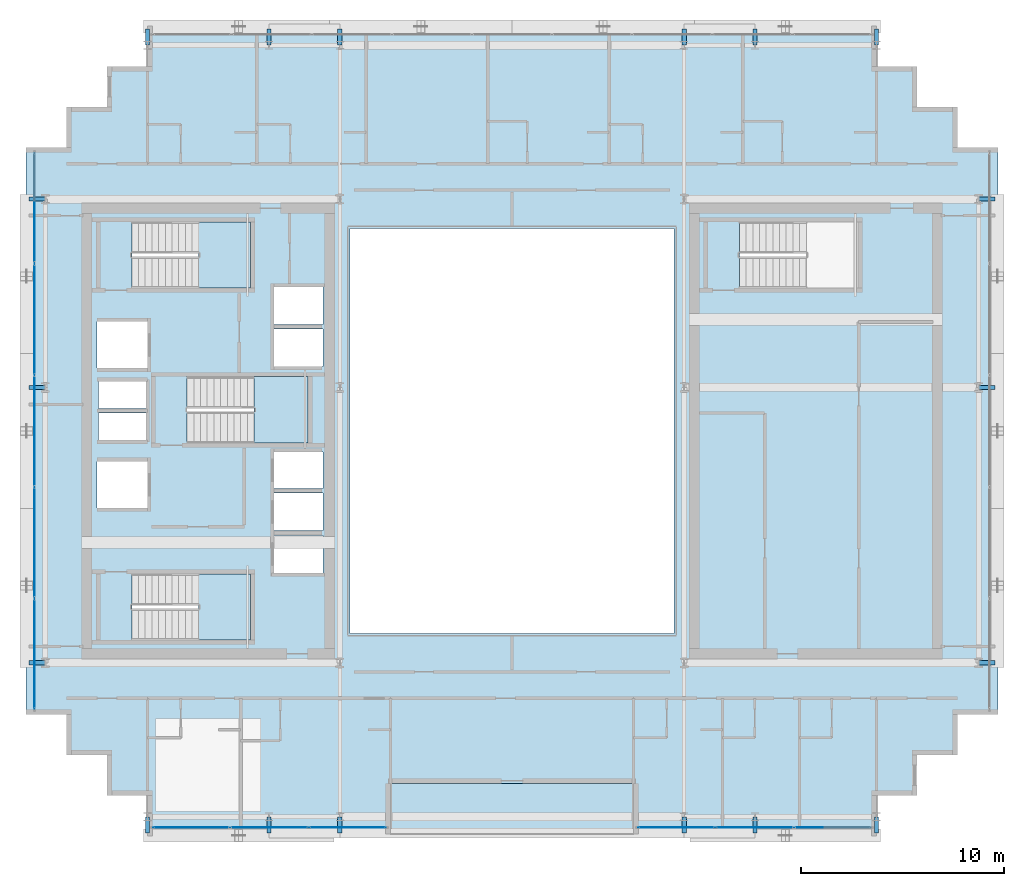
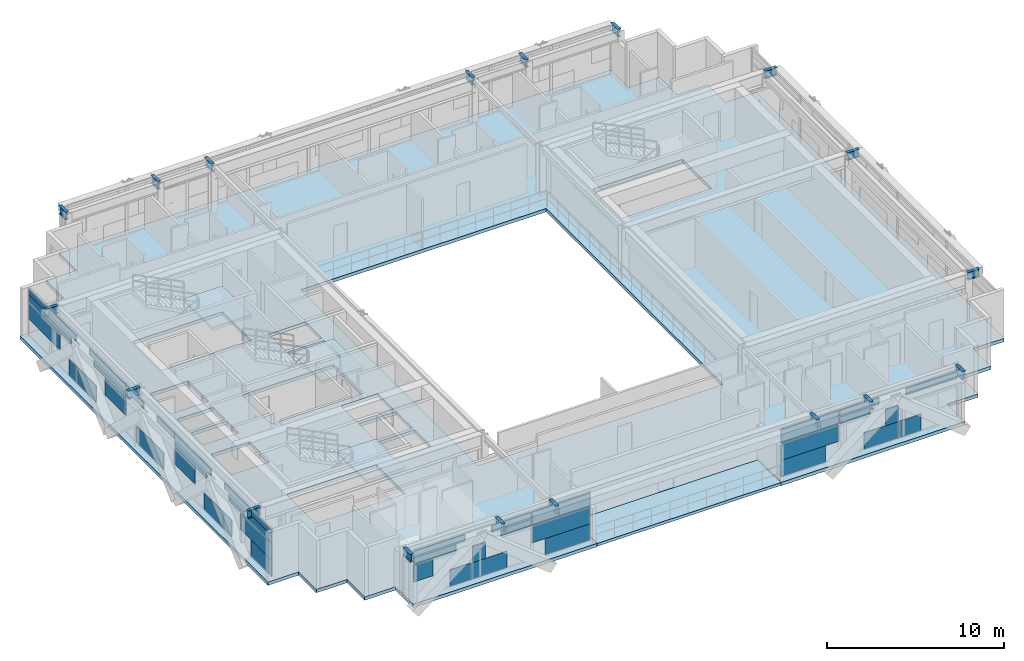
# One storey, part 20 of 31: 40 plates, 18 beams, 5 slabs, 6 elements without a shape of their own.
"""IFC4 building model written with IfcOpenShell, lengths in metres."""

from ifc_helpers import new_model, si_unit, direction, frame, origin, origin_2d, place, context, subcontext, project, spatial, polyline, rectangle, i_section, outline, extrude, source, transform, mapped, material, layer, layer_set, material_profile, profile_set, type_object, element, aggregate, save


model = new_model("IFC4")

# Units and contexts
model_context = context("Model", 3, precision=1e-05, world=origin(), true_north=direction((0.0, 1.0)))
body_context = subcontext(model_context, "Body", "Model", "MODEL_VIEW")
ifc_project = project(units=[si_unit("LENGTHUNIT", "METRE"), si_unit("AREAUNIT", "SQUARE_METRE"), si_unit("VOLUMEUNIT", "CUBIC_METRE"), si_unit("PLANEANGLEUNIT", "RADIAN"), si_unit("MASSUNIT", "GRAM", prefix="KILO")], contexts=[model_context])

# Site, building, storey
site_placement = place(None, origin())
site = spatial("IfcSite", under=ifc_project, at=site_placement, CompositionType="ELEMENT")
building_placement = place(site_placement, origin())
building = spatial("IfcBuilding", under=site, at=building_placement, Name="Ocotamira Hotel", CompositionType="ELEMENT")
storey_placement = place(building_placement, frame((0.0, 0.0, 202.800048828125)))
storey = spatial("IfcBuildingStorey", under=building, at=storey_placement, Name="L51", CompositionType="ELEMENT", Elevation=202.800048828125)

# Beams
ifc_material_1 = material(Name="Steel ASTM A992 Grade 50", Category="steel")
ifc_material_profile = material_profile(ifc_material_1, i_section(OverallWidth=0.2099609375, OverallDepth=0.537109375, WebThickness=0.010986328125, FlangeThickness=0.017333984375, FilletRadius=0.012939453125, at=origin_2d()), Name="W21X68")
ifc_profile_set = profile_set([ifc_material_profile], Name="Steel ASTM A992 Grade 50")
beam_type = type_object("IfcBeamType", Name="BM-SEC-W21X68", PredefinedType="JOIST", material=ifc_profile_set)
shared_shape_1 = source(origin(), body_context, "Body", "SweptSolid", [
    extrude(i_section(OverallWidth=0.2099609375, OverallDepth=0.537109375, WebThickness=0.010986328125, FlangeThickness=0.017333984375, FilletRadius=0.012939453125, at=origin_2d()), origin(), (0.0, 0.0, 1.0), 0.800048828125),
])
for number, where, z_axis, x_axis, name in (
    (1, (14.0, 6.949951171875, 3.1015625), (0.0, -1.0, 0.0), (1.0, 0.0, 0.0), "L51 South Edge Header X14"),
    (2, (14.0, 45.050048828125, 3.1015625), (0.0, 1.0, 0.0), (-1.0, 0.0, 0.0), "L51 North Edge Header X14"),
    (3, (20.0, 6.949951171875, 3.1015625), (0.0, -1.0, 0.0), (1.0, 0.0, 0.0), "L51 South Edge Header X20"),
    (4, (20.0, 45.050048828125, 3.1015625), (0.0, 1.0, 0.0), (-1.0, 0.0, 0.0), "L51 North Edge Header X20"),
    (5, (23.5, 6.949951171875, 3.1015625), (0.0, -1.0, 0.0), (1.0, 0.0, 0.0), "L51 South Edge Header X23.5"),
    (6, (23.5, 45.050048828125, 3.1015625), (0.0, 1.0, 0.0), (-1.0, 0.0, 0.0), "L51 North Edge Header X23.5"),
    (7, (40.5, 6.949951171875, 3.1015625), (0.0, -1.0, 0.0), (1.0, 0.0, 0.0), "L51 South Edge Header X40.5"),
    (8, (40.5, 45.050048828125, 3.1015625), (0.0, 1.0, 0.0), (-1.0, 0.0, 0.0), "L51 North Edge Header X40.5"),
    (9, (44.0, 6.949951171875, 3.1015625), (0.0, -1.0, 0.0), (1.0, 0.0, 0.0), "L51 South Edge Header X44"),
    (10, (44.0, 45.050048828125, 3.1015625), (0.0, 1.0, 0.0), (-1.0, 0.0, 0.0), "L51 North Edge Header X44"),
    (11, (50.0, 6.949951171875, 3.1015625), (0.0, -1.0, 0.0), (1.0, 0.0, 0.0), "L51 South Edge Header X50"),
    (12, (50.0, 45.050048828125, 3.1015625), (0.0, 1.0, 0.0), (-1.0, 0.0, 0.0), "L51 North Edge Header X50"),
    (13, (8.949951171875, 14.550048828125, 3.1015625), (-1.0, 0.0, 0.0), (0.0, -1.0, 0.0), "L51 West Edge Header Y14.55"),
    (14, (55.050048828125, 14.550048828125, 3.1015625), (1.0, 0.0, 0.0), (0.0, 1.0, 0.0), "L51 East Edge Header Y14.55"),
    (15, (8.949951171875, 28.14990234375, 3.1015625), (-1.0, 0.0, 0.0), (0.0, -1.0, 0.0), "L51 West Edge Header Y28.15"),
    (16, (55.050048828125, 28.14990234375, 3.1015625), (1.0, 0.0, 0.0), (0.0, 1.0, 0.0), "L51 East Edge Header Y28.15"),
    (17, (8.949951171875, 37.449951171875, 3.1015625), (-1.0, 0.0, 0.0), (0.0, -1.0, 0.0), "L51 West Edge Header Y37.45"),
    (18, (55.050048828125, 37.449951171875, 3.1015625), (1.0, 0.0, 0.0), (0.0, 1.0, 0.0), "L51 East Edge Header Y37.45"),
):
    element("IfcBeam", number, at=place(storey_placement, frame(where, z_axis=z_axis, x_axis=x_axis)), inside=storey, type_object=beam_type, Name=name, PredefinedType="JOIST", context=body_context, shape_type="MappedRepresentation", body=[
        mapped(shared_shape_1, transform((0.0, 0.0, 0.0), scale=1.0)),
    ])

# Slab
ifc_material_2 = material(Name="Concrete C40/50", Category="concrete")
ifc_layer_1 = layer(ifc_material_2, 0.199951171875)
ifc_layer_set_1 = layer_set([ifc_layer_1], Name="Concrete C40/50")
slab_type_1 = type_object("IfcSlabType", Name="SLB-BAL-200", PredefinedType="FLOOR", material=ifc_layer_set_1)
slab_1_placement = place(storey_placement, frame((0.0, 0.0, -0.199951171875)))
element("IfcSlab", 19, at=slab_1_placement, inside=storey, type_object=slab_type_1, Name="L51 Outdoor Sky Terrace Slab 1", PredefinedType="FLOOR", context=body_context, shape_type="SweptSolid", body=[
    extrude(outline(polyline([(26.0, 6.0), (38.0, 6.0), (38.0, 8.60009765625), (26.0, 8.60009765625), (26.0, 6.0)])), origin(), (0.0, 0.0, 1.0), 0.199951171875),
])

# Stair, slab
stair_type = type_object("IfcStairType", Name="ST-CORE-1560", PredefinedType="HALF_TURN_STAIR", material=ifc_material_2)
stair_1_placement = place(storey_placement, origin())
stair_1 = element("IfcStair", 20, at=stair_1_placement, inside=storey, type_object=stair_type, Name="L51 Exit Stair ST-1", PredefinedType="HALF_TURN_STAIR")
ifc_layer_2 = layer(ifc_material_2, 0.199951171875)
ifc_layer_set_2 = layer_set([ifc_layer_2], Name="Concrete C40/50")
slab_type_2 = type_object("IfcSlabType", Name="SLB-LAND-200", PredefinedType="LANDING", material=ifc_layer_set_2)
slab_2_placement = place(storey_placement, frame((0.0, 0.0, 1.599853515625)))
slab_2 = element("IfcSlab", 21, at=slab_2_placement, type_object=slab_type_2, Name="ST-1 landing 1", PredefinedType="LANDING", context=body_context, shape_type="SweptSolid", body=[
    extrude(outline(polyline([(16.530029296875, 15.669921875), (19.090087890625, 15.669921875), (19.090087890625, 18.949951171875), (16.530029296875, 18.949951171875), (16.530029296875, 15.669921875)])), origin(), (0.0, 0.0, 1.0), 0.2001953125),
])
aggregate(stair_1, [slab_2])

stair_2_placement = place(storey_placement, origin())
stair_2 = element("IfcStair", 22, at=stair_2_placement, inside=storey, type_object=stair_type, Name="L51 Exit Stair ST-2", PredefinedType="HALF_TURN_STAIR")
slab_3_placement = place(storey_placement, frame((0.0, 0.0, 1.599853515625)))
slab_3 = element("IfcSlab", 23, at=slab_3_placement, type_object=slab_type_2, Name="ST-2 landing 1", PredefinedType="LANDING", context=body_context, shape_type="SweptSolid", body=[
    extrude(outline(polyline([(16.530029296875, 33.050048828125), (19.090087890625, 33.050048828125), (19.090087890625, 36.330078125), (16.530029296875, 36.330078125), (16.530029296875, 33.050048828125)])), origin(), (0.0, 0.0, 1.0), 0.2001953125),
])
aggregate(stair_2, [slab_3])

stair_3_placement = place(storey_placement, origin())
stair_3 = element("IfcStair", 24, at=stair_3_placement, inside=storey, type_object=stair_type, Name="L51 Exit Stair ST-3", PredefinedType="HALF_TURN_STAIR")
slab_4_placement = place(storey_placement, frame((0.0, 0.0, 1.599853515625)))
slab_4 = element("IfcSlab", 25, at=slab_4_placement, type_object=slab_type_2, Name="ST-3 landing 1", PredefinedType="LANDING", context=body_context, shape_type="SweptSolid", body=[
    extrude(outline(polyline([(19.260009765625, 25.39990234375), (21.919921875, 25.39990234375), (21.919921875, 28.679931640625), (19.260009765625, 28.679931640625), (19.260009765625, 25.39990234375)])), origin(), (0.0, 0.0, 1.0), 0.2001953125),
])
aggregate(stair_3, [slab_4])

# Slab
ifc_layer_3 = layer(ifc_material_2, 0.22998046875)
ifc_layer_set_3 = layer_set([ifc_layer_3], Name="Concrete C40/50")
slab_type_3 = type_object("IfcSlabType", Name="SLB-Z3-230", PredefinedType="FLOOR", material=ifc_layer_set_3)
slab_5_placement = place(storey_placement, frame((0.0, 0.0, -0.22998046875)))
element("IfcSlab", 26, at=slab_5_placement, inside=storey, type_object=slab_type_3, Name="L51 Structural Floor Slab", PredefinedType="FLOOR", context=body_context, shape_type="SweptSolid", body=[
    extrude(outline(polyline([(14.0, 6.0), (14.0, 8.0), (12.0, 8.0), (12.0, 10.0), (10.0, 10.0), (10.0, 12.0), (8.0, 12.0), (8.0, 40.0), (10.0, 40.0), (10.0, 42.0), (12.0, 42.0), (12.0, 44.0), (14.0, 44.0), (14.0, 46.0), (50.0, 46.0), (50.0, 44.0), (52.0, 44.0), (52.0, 42.0), (54.0, 42.0), (54.0, 40.0), (56.0, 40.0), (56.0, 12.0), (54.0, 12.0), (54.0, 10.0), (52.0, 10.0), (52.0, 8.0), (50.0, 8.0), (50.0, 6.0), (38.0, 6.0), (38.0, 8.60009765625), (26.0, 8.60009765625), (26.0, 6.0), (14.0, 6.0)]), holes=[polyline([(24.0, 16.0), (40.0, 16.0), (40.0, 36.0), (24.0, 36.0), (24.0, 16.0)]), polyline([(13.22998046875, 15.669921875), (19.090087890625, 15.669921875), (19.090087890625, 18.949951171875), (13.22998046875, 18.949951171875), (13.22998046875, 15.669921875)]), polyline([(13.22998046875, 33.050048828125), (19.090087890625, 33.050048828125), (19.090087890625, 36.330078125), (13.22998046875, 36.330078125), (13.22998046875, 33.050048828125)]), polyline([(15.9599609375, 25.39990234375), (21.919921875, 25.39990234375), (21.919921875, 28.679931640625), (15.9599609375, 28.679931640625), (15.9599609375, 25.39990234375)]), polyline([(43.22998046875, 33.050048828125), (49.090087890625, 33.050048828125), (49.090087890625, 36.330078125), (43.22998046875, 36.330078125), (43.22998046875, 33.050048828125)]), polyline([(20.25, 19.0), (22.659912109375, 19.0), (22.659912109375, 20.85009765625), (20.25, 20.85009765625), (20.25, 19.0)]), polyline([(20.25, 21.080078125), (22.659912109375, 21.080078125), (22.659912109375, 22.929931640625), (20.25, 22.929931640625), (20.25, 21.080078125)]), polyline([(20.25, 23.159912109375), (22.659912109375, 23.159912109375), (22.659912109375, 24.9599609375), (20.25, 24.9599609375), (20.25, 23.159912109375)]), polyline([(20.25, 29.179931640625), (22.659912109375, 29.179931640625), (22.659912109375, 31.030029296875), (20.25, 31.030029296875), (20.25, 29.179931640625)]), polyline([(20.25, 31.260009765625), (22.659912109375, 31.260009765625), (22.659912109375, 33.110107421875), (20.25, 33.110107421875), (20.25, 31.260009765625)]), polyline([(11.5, 22.199951171875), (14.0, 22.199951171875), (14.0, 24.5), (11.5, 24.5), (11.5, 22.199951171875)]), polyline([(11.5, 29.10009765625), (14.0, 29.10009765625), (14.0, 31.39990234375), (11.5, 31.39990234375), (11.5, 29.10009765625)]), polyline([(11.580078125, 25.550048828125), (13.919921875, 25.550048828125), (13.919921875, 26.89990234375), (11.580078125, 26.89990234375), (11.580078125, 25.550048828125)]), polyline([(11.580078125, 27.10009765625), (13.919921875, 27.10009765625), (13.919921875, 28.449951171875), (11.580078125, 28.449951171875), (11.580078125, 27.10009765625)])]), origin(), (0.0, 0.0, 1.0), 0.22998046875),
])

# Curtain wall, plates
ifc_material_3 = material(Name="Anodised pale-metal aluminium and solar glass", Category="aluminium")
ifc_layer_4 = layer(ifc_material_3, 0.199951171875)
ifc_layer_set_4 = layer_set([ifc_layer_4], Name="Anodised pale-metal aluminium and solar glass")
curtain_wall_type = type_object("IfcCurtainWallType", Name="CW-SYS4-Z3", PredefinedType="NOTDEFINED", material=ifc_layer_set_4)
curtain_wall_1_placement = place(storey_placement, origin())
curtain_wall_1 = element("IfcCurtainWall", 27, at=curtain_wall_1_placement, inside=storey, type_object=curtain_wall_type, Name="L51 Curtain Wall CW-4 CW-L51-S1", PredefinedType="NOTDEFINED")
ifc_material_4 = material(Name="Double-silver low-E insulated solar glass", Category="glass")
ifc_layer_5 = layer(ifc_material_4, 0.031982421875)
ifc_layer_set_5 = layer_set([ifc_layer_5], Name="Double-silver low-E insulated solar glass")
plate_type = type_object("IfcPlateType", Name="CWP-VISION-32", PredefinedType="CURTAIN_PANEL", material=ifc_layer_set_5)
shared_shape_2 = source(origin(), body_context, "Body", "SweptSolid", [
    extrude(rectangle(XDim=1.251953125, YDim=0.031982421875, at=origin_2d()), origin(), (0.0, 0.0, 1.0), 1.118896484375),
])
plate_1_placement = place(storey_placement, frame((14.906005859375, 6.419921875, 1.193359375), z_axis=(0.0, 0.0, 1.0), x_axis=(1.0, 0.0, 0.0)))
plate_1 = element("IfcPlate", 28, at=plate_1_placement, type_object=plate_type, Name="CW-4 panel 1.1.1", PredefinedType="CURTAIN_PANEL", context=body_context, shape_type="MappedRepresentation", body=[
    mapped(shared_shape_2, transform((0.0, 0.0, 0.0), scale=1.0)),
])
shared_shape_3 = source(origin(), body_context, "Body", "SweptSolid", [
    extrude(rectangle(XDim=1.390869140625, YDim=0.031982421875, at=origin_2d()), origin(), (0.0, 0.0, 1.0), 1.118896484375),
])
plate_2_placement = place(storey_placement, frame((17.347900390625, 6.419921875, 0.07470703125), z_axis=(0.0, 0.0, 1.0), x_axis=(1.0, 0.0, 0.0)))
plate_2 = element("IfcPlate", 29, at=plate_2_placement, type_object=plate_type, Name="CW-4 panel 1.1.2", PredefinedType="CURTAIN_PANEL", context=body_context, shape_type="MappedRepresentation", body=[
    mapped(shared_shape_3, transform((0.0, 0.0, 0.0), scale=1.0)),
])

# Curtain wall, plate
curtain_wall_2_placement = place(storey_placement, origin())
curtain_wall_2 = element("IfcCurtainWall", 30, at=curtain_wall_2_placement, inside=storey, type_object=curtain_wall_type, Name="L51 Curtain Wall CW-4 CW-L51-S2", PredefinedType="NOTDEFINED")
plate_3_placement = place(storey_placement, frame((46.652099609375, 6.419921875, 0.07470703125), z_axis=(0.0, 0.0, 1.0), x_axis=(1.0, 0.0, 0.0)))
plate_3 = element("IfcPlate", 31, at=plate_3_placement, type_object=plate_type, Name="CW-4 panel 3.1.1", PredefinedType="CURTAIN_PANEL", context=body_context, shape_type="MappedRepresentation", body=[
    mapped(shared_shape_3, transform((0.0, 0.0, 0.0), scale=1.0)),
])

# Plate
shared_shape_4 = source(origin(), body_context, "Body", "SweptSolid", [
    extrude(rectangle(XDim=2.744140625, YDim=0.031982421875, at=origin_2d()), origin(), (0.0, 0.0, 1.0), 0.443603515625),
])
plate_4_placement = place(storey_placement, frame((15.652099609375, 6.419921875, 2.38720703125), z_axis=(0.0, 0.0, 1.0), x_axis=(1.0, 0.0, 0.0)))
plate_4 = element("IfcPlate", 32, at=plate_4_placement, type_object=plate_type, Name="CW-4 panel 1.2.1", PredefinedType="CURTAIN_PANEL", context=body_context, shape_type="MappedRepresentation", body=[
    mapped(shared_shape_4, transform((0.0, 0.0, 0.0), scale=1.0)),
])

shared_shape_5 = source(origin(), body_context, "Body", "SweptSolid", [
    extrude(rectangle(XDim=3.337646484375, YDim=0.031982421875, at=origin_2d()), origin(), (0.0, 0.0, 1.0), 0.4326171875),
])
plate_5_placement = place(storey_placement, frame((15.94873046875, 6.419921875, 2.8623046875), z_axis=(0.0, 0.0, 1.0), x_axis=(1.0, 0.0, 0.0)))
plate_5 = element("IfcPlate", 33, at=plate_5_placement, type_object=plate_type, Name="CW-4 panel 1.2.2", PredefinedType="CURTAIN_PANEL", context=body_context, shape_type="MappedRepresentation", body=[
    mapped(shared_shape_5, transform((0.0, 0.0, 0.0), scale=1.0)),
])

plate_6_placement = place(storey_placement, frame((48.05126953125, 6.419921875, 2.8623046875), z_axis=(0.0, 0.0, 1.0), x_axis=(1.0, 0.0, 0.0)))
plate_6 = element("IfcPlate", 34, at=plate_6_placement, type_object=plate_type, Name="CW-4 panel 3.2.1", PredefinedType="CURTAIN_PANEL", context=body_context, shape_type="MappedRepresentation", body=[
    mapped(shared_shape_5, transform((0.0, 0.0, 0.0), scale=1.0)),
])

shared_shape_6 = source(origin(), body_context, "Body", "SweptSolid", [
    extrude(rectangle(XDim=2.22412109375, YDim=0.031982421875, at=origin_2d()), origin(), (0.0, 0.0, 1.0), 1.118896484375),
])
plate_7_placement = place(storey_placement, frame((19.2353515625, 6.419921875, 0.07470703125), z_axis=(0.0, 0.0, 1.0), x_axis=(1.0, 0.0, 0.0)))
plate_7 = element("IfcPlate", 35, at=plate_7_placement, type_object=plate_type, Name="CW-4 panel 2.1.1", PredefinedType="CURTAIN_PANEL", context=body_context, shape_type="MappedRepresentation", body=[
    mapped(shared_shape_6, transform((0.0, 0.0, 0.0), scale=1.0)),
])

plate_8_placement = place(storey_placement, frame((44.7646484375, 6.419921875, 0.07470703125), z_axis=(0.0, 0.0, 1.0), x_axis=(1.0, 0.0, 0.0)))
plate_8 = element("IfcPlate", 36, at=plate_8_placement, type_object=plate_type, Name="CW-4 panel 2.1.1", PredefinedType="CURTAIN_PANEL", context=body_context, shape_type="MappedRepresentation", body=[
    mapped(shared_shape_6, transform((0.0, 0.0, 0.0), scale=1.0)),
])

shared_shape_7 = source(origin(), body_context, "Body", "SweptSolid", [
    extrude(rectangle(XDim=0.82568359375, YDim=0.031982421875, at=origin_2d()), origin(), (0.0, 0.0, 1.0), 1.118896484375),
])
plate_9_placement = place(storey_placement, frame((18.5361328125, 6.419921875, 1.193359375), z_axis=(0.0, 0.0, 1.0), x_axis=(1.0, 0.0, 0.0)))
plate_9 = element("IfcPlate", 37, at=plate_9_placement, type_object=plate_type, Name="CW-4 panel 2.1.2", PredefinedType="CURTAIN_PANEL", context=body_context, shape_type="MappedRepresentation", body=[
    mapped(shared_shape_7, transform((0.0, 0.0, 0.0), scale=1.0)),
])

plate_10_placement = place(storey_placement, frame((45.4638671875, 6.419921875, 1.193359375), z_axis=(0.0, 0.0, 1.0), x_axis=(1.0, 0.0, 0.0)))
plate_10 = element("IfcPlate", 38, at=plate_10_placement, type_object=plate_type, Name="CW-4 panel 2.1.2", PredefinedType="CURTAIN_PANEL", context=body_context, shape_type="MappedRepresentation", body=[
    mapped(shared_shape_7, transform((0.0, 0.0, 0.0), scale=1.0)),
])

shared_shape_8 = source(origin(), body_context, "Body", "SweptSolid", [
    extrude(rectangle(XDim=2.544189453125, YDim=0.031982421875, at=origin_2d()), origin(), (0.0, 0.0, 1.0), 0.4326171875),
])
plate_11_placement = place(storey_placement, frame((20.654541015625, 6.419921875, 2.8623046875), z_axis=(0.0, 0.0, 1.0), x_axis=(1.0, 0.0, 0.0)))
plate_11 = element("IfcPlate", 39, at=plate_11_placement, type_object=plate_type, Name="CW-4 panel 2.2.1", PredefinedType="CURTAIN_PANEL", context=body_context, shape_type="MappedRepresentation", body=[
    mapped(shared_shape_8, transform((0.0, 0.0, 0.0), scale=1.0)),
])

plate_12_placement = place(storey_placement, frame((43.345458984375, 6.419921875, 2.8623046875), z_axis=(0.0, 0.0, 1.0), x_axis=(1.0, 0.0, 0.0)))
plate_12 = element("IfcPlate", 40, at=plate_12_placement, type_object=plate_type, Name="CW-4 panel 2.2.2", PredefinedType="CURTAIN_PANEL", context=body_context, shape_type="MappedRepresentation", body=[
    mapped(shared_shape_8, transform((0.0, 0.0, 0.0), scale=1.0)),
])

shared_shape_9 = source(origin(), body_context, "Body", "SweptSolid", [
    extrude(rectangle(XDim=1.95068359375, YDim=0.031982421875, at=origin_2d()), origin(), (0.0, 0.0, 1.0), 0.443603515625),
])
plate_13_placement = place(storey_placement, frame((20.951416015625, 6.419921875, 2.38720703125), z_axis=(0.0, 0.0, 1.0), x_axis=(1.0, 0.0, 0.0)))
plate_13 = element("IfcPlate", 41, at=plate_13_placement, type_object=plate_type, Name="CW-4 panel 2.2.2", PredefinedType="CURTAIN_PANEL", context=body_context, shape_type="MappedRepresentation", body=[
    mapped(shared_shape_9, transform((0.0, 0.0, 0.0), scale=1.0)),
])

plate_14_placement = place(storey_placement, frame((43.048583984375, 6.419921875, 2.38720703125), z_axis=(0.0, 0.0, 1.0), x_axis=(1.0, 0.0, 0.0)))
plate_14 = element("IfcPlate", 42, at=plate_14_placement, type_object=plate_type, Name="CW-4 panel 2.2.1", PredefinedType="CURTAIN_PANEL", context=body_context, shape_type="MappedRepresentation", body=[
    mapped(shared_shape_9, transform((0.0, 0.0, 0.0), scale=1.0)),
])

shared_shape_10 = source(origin(), body_context, "Body", "SweptSolid", [
    extrude(rectangle(XDim=3.76318359375, YDim=0.031982421875, at=origin_2d()), origin(), (0.0, 0.0, 1.0), 1.118896484375),
])
plate_15_placement = place(storey_placement, frame((23.88818359375, 6.419921875, 1.193359375), z_axis=(0.0, 0.0, 1.0), x_axis=(1.0, 0.0, 0.0)))
plate_15 = element("IfcPlate", 43, at=plate_15_placement, type_object=plate_type, Name="CW-4 panel 3.1.1", PredefinedType="CURTAIN_PANEL", context=body_context, shape_type="MappedRepresentation", body=[
    mapped(shared_shape_10, transform((0.0, 0.0, 0.0), scale=1.0)),
])

plate_16_placement = place(storey_placement, frame((40.11181640625, 6.419921875, 1.193359375), z_axis=(0.0, 0.0, 1.0), x_axis=(1.0, 0.0, 0.0)))
plate_16 = element("IfcPlate", 44, at=plate_16_placement, type_object=plate_type, Name="CW-4 panel 1.1.2", PredefinedType="CURTAIN_PANEL", context=body_context, shape_type="MappedRepresentation", body=[
    mapped(shared_shape_10, transform((0.0, 0.0, 0.0), scale=1.0)),
])

shared_shape_11 = source(origin(), body_context, "Body", "SweptSolid", [
    extrude(rectangle(XDim=2.903564453125, YDim=0.031982421875, at=origin_2d()), origin(), (0.0, 0.0, 1.0), 1.118896484375),
])
plate_17_placement = place(storey_placement, frame((24.318359375, 6.419921875, 0.07470703125), z_axis=(0.0, 0.0, 1.0), x_axis=(1.0, 0.0, 0.0)))
plate_17 = element("IfcPlate", 45, at=plate_17_placement, type_object=plate_type, Name="CW-4 panel 3.1.2", PredefinedType="CURTAIN_PANEL", context=body_context, shape_type="MappedRepresentation", body=[
    mapped(shared_shape_11, transform((0.0, 0.0, 0.0), scale=1.0)),
])

plate_18_placement = place(storey_placement, frame((39.681640625, 6.419921875, 0.07470703125), z_axis=(0.0, 0.0, 1.0), x_axis=(1.0, 0.0, 0.0)))
plate_18 = element("IfcPlate", 46, at=plate_18_placement, type_object=plate_type, Name="CW-4 panel 1.1.1", PredefinedType="CURTAIN_PANEL", context=body_context, shape_type="MappedRepresentation", body=[
    mapped(shared_shape_11, transform((0.0, 0.0, 0.0), scale=1.0)),
])

shared_shape_12 = source(origin(), body_context, "Body", "SweptSolid", [
    extrude(rectangle(XDim=3.763427734375, YDim=0.031982421875, at=origin_2d()), origin(), (0.0, 0.0, 1.0), 0.907470703125),
])
plate_19_placement = place(storey_placement, frame((23.888427734375, 6.419921875, 2.3876953125), z_axis=(0.0, 0.0, 1.0), x_axis=(1.0, 0.0, 0.0)))
plate_19 = element("IfcPlate", 47, at=plate_19_placement, type_object=plate_type, Name="CW-4 panel 3.2", PredefinedType="CURTAIN_PANEL", context=body_context, shape_type="MappedRepresentation", body=[
    mapped(shared_shape_12, transform((0.0, 0.0, 0.0), scale=1.0)),
])

aggregate(curtain_wall_1, [plate_1, plate_2, plate_4, plate_5, plate_7, plate_9, plate_11, plate_13, plate_15, plate_17, plate_19])

plate_20_placement = place(storey_placement, frame((40.111572265625, 6.419921875, 2.3876953125), z_axis=(0.0, 0.0, 1.0), x_axis=(1.0, 0.0, 0.0)))
plate_20 = element("IfcPlate", 48, at=plate_20_placement, type_object=plate_type, Name="CW-4 panel 1.2", PredefinedType="CURTAIN_PANEL", context=body_context, shape_type="MappedRepresentation", body=[
    mapped(shared_shape_12, transform((0.0, 0.0, 0.0), scale=1.0)),
])

aggregate(curtain_wall_2, [plate_18, plate_16, plate_20, plate_8, plate_10, plate_14, plate_12, plate_3, plate_6])

# Curtain wall, plates
curtain_wall_3_placement = place(storey_placement, origin())
curtain_wall_3 = element("IfcCurtainWall", 49, at=curtain_wall_3_placement, inside=storey, type_object=curtain_wall_type, Name="L51 Curtain Wall CW-4 CW-L51-W", PredefinedType="NOTDEFINED")
shared_shape_13 = source(origin(), body_context, "Body", "SweptSolid", [
    extrude(rectangle(XDim=2.348388671875, YDim=0.031982421875, at=origin_2d()), origin(), (0.0, 0.0, 1.0), 1.118896484375),
])
plate_21_placement = place(storey_placement, frame((8.419921875, 13.4541015625, 0.07470703125), z_axis=(0.0, 0.0, 1.0), x_axis=(0.0, 1.0, 0.0)))
plate_21 = element("IfcPlate", 50, at=plate_21_placement, type_object=plate_type, Name="CW-4 panel 1.1.1", PredefinedType="CURTAIN_PANEL", context=body_context, shape_type="MappedRepresentation", body=[
    mapped(shared_shape_13, transform((0.0, 0.0, 0.0), scale=1.0)),
])
shared_shape_14 = source(origin(), body_context, "Body", "SweptSolid", [
    extrude(rectangle(XDim=3.534423828125, YDim=0.031982421875, at=origin_2d()), origin(), (0.0, 0.0, 1.0), 1.118896484375),
])
plate_22_placement = place(storey_placement, frame((8.419921875, 14.047119140625, 1.193359375), z_axis=(0.0, 0.0, 1.0), x_axis=(0.0, 1.0, 0.0)))
plate_22 = element("IfcPlate", 51, at=plate_22_placement, type_object=plate_type, Name="CW-4 panel 1.1.2", PredefinedType="CURTAIN_PANEL", context=body_context, shape_type="MappedRepresentation", body=[
    mapped(shared_shape_14, transform((0.0, 0.0, 0.0), scale=1.0)),
])
plate_23_placement = place(storey_placement, frame((8.419921875, 37.952880859375, 1.193359375), z_axis=(0.0, 0.0, 1.0), x_axis=(0.0, 1.0, 0.0)))
plate_23 = element("IfcPlate", 52, at=plate_23_placement, type_object=plate_type, Name="CW-4 panel 5.1.2", PredefinedType="CURTAIN_PANEL", context=body_context, shape_type="MappedRepresentation", body=[
    mapped(shared_shape_14, transform((0.0, 0.0, 0.0), scale=1.0)),
])
shared_shape_15 = source(origin(), body_context, "Body", "SweptSolid", [
    extrude(rectangle(XDim=0.845458984375, YDim=0.031982421875, at=origin_2d()), origin(), (0.0, 0.0, 1.0), 1.118896484375),
])
plate_24_placement = place(storey_placement, frame((8.419921875, 17.25732421875, 0.07470703125), z_axis=(0.0, 0.0, 1.0), x_axis=(0.0, 1.0, 0.0)))
plate_24 = element("IfcPlate", 53, at=plate_24_placement, type_object=plate_type, Name="CW-4 panel 1.1.3", PredefinedType="CURTAIN_PANEL", context=body_context, shape_type="MappedRepresentation", body=[
    mapped(shared_shape_15, transform((0.0, 0.0, 0.0), scale=1.0)),
])
plate_25_placement = place(storey_placement, frame((8.419921875, 34.74267578125, 0.07470703125), z_axis=(0.0, 0.0, 1.0), x_axis=(0.0, 1.0, 0.0)))
plate_25 = element("IfcPlate", 54, at=plate_25_placement, type_object=plate_type, Name="CW-4 panel 5.1.1", PredefinedType="CURTAIN_PANEL", context=body_context, shape_type="MappedRepresentation", body=[
    mapped(shared_shape_15, transform((0.0, 0.0, 0.0), scale=1.0)),
])
shared_shape_16 = source(origin(), body_context, "Body", "SweptSolid", [
    extrude(rectangle(XDim=4.7998046875, YDim=0.031982421875, at=origin_2d()), origin(), (0.0, 0.0, 1.0), 0.4951171875),
])
plate_26_placement = place(storey_placement, frame((8.419921875, 14.679931640625, 2.387451171875), z_axis=(0.0, 0.0, 1.0), x_axis=(0.0, 1.0, 0.0)))
plate_26 = element("IfcPlate", 55, at=plate_26_placement, type_object=plate_type, Name="CW-4 panel 1.2.1", PredefinedType="CURTAIN_PANEL", context=body_context, shape_type="MappedRepresentation", body=[
    mapped(shared_shape_16, transform((0.0, 0.0, 0.0), scale=1.0)),
])
plate_27_placement = place(storey_placement, frame((8.419921875, 37.320068359375, 2.387451171875), z_axis=(0.0, 0.0, 1.0), x_axis=(0.0, 1.0, 0.0)))
plate_27 = element("IfcPlate", 56, at=plate_27_placement, type_object=plate_type, Name="CW-4 panel 5.2.2", PredefinedType="CURTAIN_PANEL", context=body_context, shape_type="MappedRepresentation", body=[
    mapped(shared_shape_16, transform((0.0, 0.0, 0.0), scale=1.0)),
])
shared_shape_17 = source(origin(), body_context, "Body", "SweptSolid", [
    extrude(rectangle(XDim=5.32470703125, YDim=0.031982421875, at=origin_2d()), origin(), (0.0, 0.0, 1.0), 0.41259765625),
])
plate_28_placement = place(storey_placement, frame((8.419921875, 14.9423828125, 2.882568359375), z_axis=(0.0, 0.0, 1.0), x_axis=(0.0, 1.0, 0.0)))
plate_28 = element("IfcPlate", 57, at=plate_28_placement, type_object=plate_type, Name="CW-4 panel 1.2.2", PredefinedType="CURTAIN_PANEL", context=body_context, shape_type="MappedRepresentation", body=[
    mapped(shared_shape_17, transform((0.0, 0.0, 0.0), scale=1.0)),
])
plate_29_placement = place(storey_placement, frame((8.419921875, 37.0576171875, 2.882568359375), z_axis=(0.0, 0.0, 1.0), x_axis=(0.0, 1.0, 0.0)))
plate_29 = element("IfcPlate", 58, at=plate_29_placement, type_object=plate_type, Name="CW-4 panel 5.2.1", PredefinedType="CURTAIN_PANEL", context=body_context, shape_type="MappedRepresentation", body=[
    mapped(shared_shape_17, transform((0.0, 0.0, 0.0), scale=1.0)),
])
shared_shape_18 = source(origin(), body_context, "Body", "SweptSolid", [
    extrude(rectangle(XDim=2.138671875, YDim=0.031982421875, at=origin_2d()), origin(), (0.0, 0.0, 1.0), 1.118896484375),
])
plate_30_placement = place(storey_placement, frame((8.419921875, 18.829345703125, 0.07470703125), z_axis=(0.0, 0.0, 1.0), x_axis=(0.0, 1.0, 0.0)))
plate_30 = element("IfcPlate", 59, at=plate_30_placement, type_object=plate_type, Name="CW-4 panel 2.1.1", PredefinedType="CURTAIN_PANEL", context=body_context, shape_type="MappedRepresentation", body=[
    mapped(shared_shape_18, transform((0.0, 0.0, 0.0), scale=1.0)),
])
plate_31_placement = place(storey_placement, frame((8.419921875, 33.170654296875, 0.07470703125), z_axis=(0.0, 0.0, 1.0), x_axis=(0.0, 1.0, 0.0)))
plate_31 = element("IfcPlate", 60, at=plate_31_placement, type_object=plate_type, Name="CW-4 panel 4.1.2", PredefinedType="CURTAIN_PANEL", context=body_context, shape_type="MappedRepresentation", body=[
    mapped(shared_shape_18, transform((0.0, 0.0, 0.0), scale=1.0)),
])
shared_shape_19 = source(origin(), body_context, "Body", "SweptSolid", [
    extrude(rectangle(XDim=2.281005859375, YDim=0.031982421875, at=origin_2d()), origin(), (0.0, 0.0, 1.0), 1.118896484375),
])
plate_32_placement = place(storey_placement, frame((8.419921875, 22.059326171875, 1.193359375), z_axis=(0.0, 0.0, 1.0), x_axis=(0.0, 1.0, 0.0)))
plate_32 = element("IfcPlate", 61, at=plate_32_placement, type_object=plate_type, Name="CW-4 panel 2.1.2", PredefinedType="CURTAIN_PANEL", context=body_context, shape_type="MappedRepresentation", body=[
    mapped(shared_shape_19, transform((0.0, 0.0, 0.0), scale=1.0)),
])
plate_33_placement = place(storey_placement, frame((8.419921875, 29.940673828125, 1.193359375), z_axis=(0.0, 0.0, 1.0), x_axis=(0.0, 1.0, 0.0)))
plate_33 = element("IfcPlate", 62, at=plate_33_placement, type_object=plate_type, Name="CW-4 panel 4.1.1", PredefinedType="CURTAIN_PANEL", context=body_context, shape_type="MappedRepresentation", body=[
    mapped(shared_shape_19, transform((0.0, 0.0, 0.0), scale=1.0)),
])
shared_shape_20 = source(origin(), body_context, "Body", "SweptSolid", [
    extrude(rectangle(XDim=4.071533203125, YDim=0.031982421875, at=origin_2d()), origin(), (0.0, 0.0, 1.0), 0.41259765625),
])
plate_34_placement = place(storey_placement, frame((8.419921875, 21.164306640625, 2.882568359375), z_axis=(0.0, 0.0, 1.0), x_axis=(0.0, 1.0, 0.0)))
plate_34 = element("IfcPlate", 63, at=plate_34_placement, type_object=plate_type, Name="CW-4 panel 2.2.1", PredefinedType="CURTAIN_PANEL", context=body_context, shape_type="MappedRepresentation", body=[
    mapped(shared_shape_20, transform((0.0, 0.0, 0.0), scale=1.0)),
])
plate_35_placement = place(storey_placement, frame((8.419921875, 30.835693359375, 2.882568359375), z_axis=(0.0, 0.0, 1.0), x_axis=(0.0, 1.0, 0.0)))
plate_35 = element("IfcPlate", 64, at=plate_35_placement, type_object=plate_type, Name="CW-4 panel 4.2.2", PredefinedType="CURTAIN_PANEL", context=body_context, shape_type="MappedRepresentation", body=[
    mapped(shared_shape_20, transform((0.0, 0.0, 0.0), scale=1.0)),
])
shared_shape_21 = source(origin(), body_context, "Body", "SweptSolid", [
    extrude(rectangle(XDim=3.546630859375, YDim=0.031982421875, at=origin_2d()), origin(), (0.0, 0.0, 1.0), 0.460693359375),
])
plate_36_placement = place(storey_placement, frame((8.419921875, 21.426513671875, 2.3876953125), z_axis=(0.0, 0.0, 1.0), x_axis=(0.0, 1.0, 0.0)))
plate_36 = element("IfcPlate", 65, at=plate_36_placement, type_object=plate_type, Name="CW-4 panel 2.2.2", PredefinedType="CURTAIN_PANEL", context=body_context, shape_type="MappedRepresentation", body=[
    mapped(shared_shape_21, transform((0.0, 0.0, 0.0), scale=1.0)),
])
plate_37_placement = place(storey_placement, frame((8.419921875, 30.573486328125, 2.3876953125), z_axis=(0.0, 0.0, 1.0), x_axis=(0.0, 1.0, 0.0)))
plate_37 = element("IfcPlate", 66, at=plate_37_placement, type_object=plate_type, Name="CW-4 panel 4.2.1", PredefinedType="CURTAIN_PANEL", context=body_context, shape_type="MappedRepresentation", body=[
    mapped(shared_shape_21, transform((0.0, 0.0, 0.0), scale=1.0)),
])
shared_shape_22 = source(origin(), body_context, "Body", "SweptSolid", [
    extrude(rectangle(XDim=3.064208984375, YDim=0.031982421875, at=origin_2d()), origin(), (0.0, 0.0, 1.0), 1.118896484375),
])
plate_38_placement = place(storey_placement, frame((8.419921875, 26.0, 0.07470703125), z_axis=(0.0, 0.0, 1.0), x_axis=(0.0, 1.0, 0.0)))
plate_38 = element("IfcPlate", 67, at=plate_38_placement, type_object=plate_type, Name="CW-4 panel 3.1.1", PredefinedType="CURTAIN_PANEL", context=body_context, shape_type="MappedRepresentation", body=[
    mapped(shared_shape_22, transform((0.0, 0.0, 0.0), scale=1.0)),
])
shared_shape_23 = source(origin(), body_context, "Body", "SweptSolid", [
    extrude(rectangle(XDim=1.958251953125, YDim=0.031982421875, at=origin_2d()), origin(), (0.0, 0.0, 1.0), 0.41259765625),
])
plate_39_placement = place(storey_placement, frame((8.419921875, 24.259033203125, 2.882568359375), z_axis=(0.0, 0.0, 1.0), x_axis=(0.0, 1.0, 0.0)))
plate_39 = element("IfcPlate", 68, at=plate_39_placement, type_object=plate_type, Name="CW-4 panel 3.2.1", PredefinedType="CURTAIN_PANEL", context=body_context, shape_type="MappedRepresentation", body=[
    mapped(shared_shape_23, transform((0.0, 0.0, 0.0), scale=1.0)),
])
plate_40_placement = place(storey_placement, frame((8.419921875, 27.740966796875, 2.882568359375), z_axis=(0.0, 0.0, 1.0), x_axis=(0.0, 1.0, 0.0)))
plate_40 = element("IfcPlate", 69, at=plate_40_placement, type_object=plate_type, Name="CW-4 panel 3.2.2", PredefinedType="CURTAIN_PANEL", context=body_context, shape_type="MappedRepresentation", body=[
    mapped(shared_shape_23, transform((0.0, 0.0, 0.0), scale=1.0)),
])
aggregate(curtain_wall_3, [plate_21, plate_22, plate_24, plate_26, plate_28, plate_30, plate_32, plate_34, plate_36, plate_38, plate_39, plate_40, plate_33, plate_31, plate_37, plate_35, plate_25, plate_23, plate_29, plate_27])

save(model, "model.ifc")
